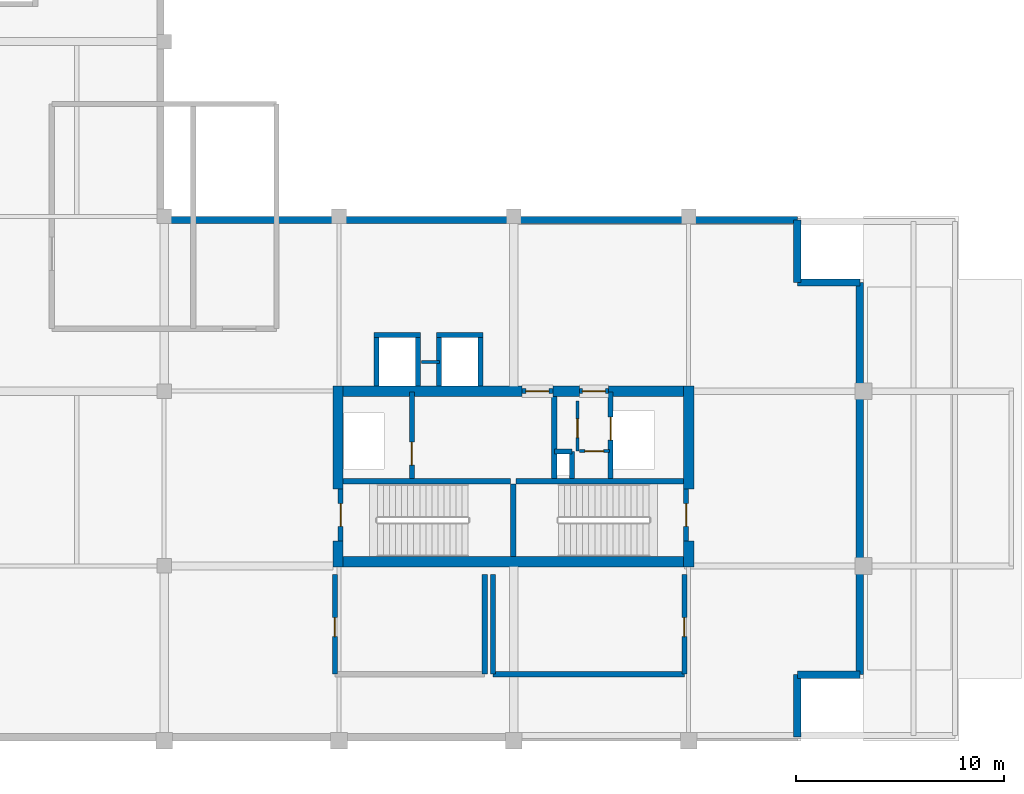
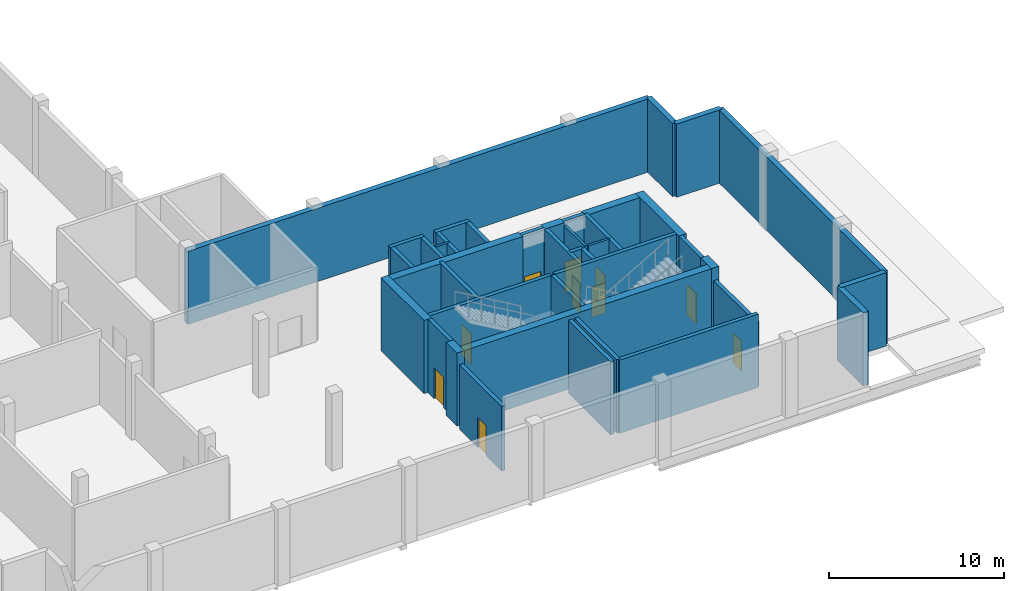
# One storey, part 3 of 7: 40 walls, 10 doors, 10 openings.
"""IFC4 building model written with IfcOpenShell, lengths in metres."""

from ifc_helpers import new_model, si_unit, direction, frame, frame_2d, origin, place, context, subcontext, project, spatial, rectangle, extrude, material, layer, layer_set, type_object, element, fill, save


model = new_model("IFC4")

# Units and contexts
model_context = context("Model", 3, precision=1e-05, world=origin(), true_north=direction((0.0, 1.0)))
body_context = subcontext(model_context, "Body", "Model", "MODEL_VIEW")
ifc_project = project(units=[si_unit("LENGTHUNIT", "METRE"), si_unit("AREAUNIT", "SQUARE_METRE"), si_unit("VOLUMEUNIT", "CUBIC_METRE"), si_unit("PLANEANGLEUNIT", "RADIAN"), si_unit("MASSUNIT", "GRAM", prefix="KILO")], contexts=[model_context])

# Site, building, storey
site_placement = place(None, origin())
site = spatial("IfcSite", under=ifc_project, at=site_placement, CompositionType="ELEMENT")
building_placement = place(site_placement, origin())
building = spatial("IfcBuilding", under=site, at=building_placement, Name="Koriwani Terraces Tower", CompositionType="ELEMENT")
storey_placement = place(building_placement, frame((0.0, 0.0, 368.60009765625)))
storey = spatial("IfcBuildingStorey", under=building, at=storey_placement, Name="L91", CompositionType="ELEMENT", Elevation=368.60009765625)

# Walls
ifc_material_1 = material(Name="Concrete C50/60", Category="concrete")
ifc_layer_1 = layer(ifc_material_1, 0.5, Name="Concrete C50/60")
ifc_layer_set_1 = layer_set([ifc_layer_1], Name="Concrete C50/60")
wall_type_1 = type_object("IfcWallType", Name="WALL_CORE_RC_500", PredefinedType="SHEAR", material=ifc_layer_set_1)
wall_1_placement = place(storey_placement, frame((41.949951171875, 16.75, 0.0), z_axis=(0.0, 0.0, 1.0), x_axis=(0.0, 1.0, 0.0)))
element("IfcWall", 1, at=wall_1_placement, inside=storey, type_object=wall_type_1, Name="L91 East Split Core Shear Wall W1", PredefinedType="SHEAR", context=body_context, shape_type="SweptSolid", body=[
    extrude(rectangle(XDim=1.25, YDim=0.5, at=frame_2d((0.625, 0.0))), origin(), (0.0, 0.0, 1.0), 5.119873046875),
])
wall_2_placement = place(storey_placement, frame((41.949951171875, 20.5, 0.0), z_axis=(0.0, 0.0, 1.0), x_axis=(0.0, 1.0, 0.0)))
element("IfcWall", 2, at=wall_2_placement, inside=storey, type_object=wall_type_1, Name="L91 East Split Core Shear Wall W2", PredefinedType="SHEAR", context=body_context, shape_type="SweptSolid", body=[
    extrude(rectangle(XDim=4.949951171875, YDim=0.5, at=frame_2d((2.47509765625, 0.0))), origin(), (0.0, 0.0, 1.0), 5.119873046875),
])
wall_3_placement = place(storey_placement, frame((58.800048828125, 16.75, 0.0), z_axis=(0.0, 0.0, 1.0), x_axis=(0.0, 1.0, 0.0)))
element("IfcWall", 3, at=wall_3_placement, inside=storey, type_object=wall_type_1, Name="L91 East Split Core Shear Wall E1", PredefinedType="SHEAR", context=body_context, shape_type="SweptSolid", body=[
    extrude(rectangle(XDim=1.25, YDim=0.5, at=frame_2d((0.625, 0.0))), origin(), (0.0, 0.0, 1.0), 5.119873046875),
])
wall_4_placement = place(storey_placement, frame((58.800048828125, 20.5, 0.0), z_axis=(0.0, 0.0, 1.0), x_axis=(0.0, 1.0, 0.0)))
element("IfcWall", 4, at=wall_4_placement, inside=storey, type_object=wall_type_1, Name="L91 East Split Core Shear Wall E2", PredefinedType="SHEAR", context=body_context, shape_type="SweptSolid", body=[
    extrude(rectangle(XDim=4.949951171875, YDim=0.5, at=frame_2d((2.47509765625, 0.0))), origin(), (0.0, 0.0, 1.0), 5.119873046875),
])
wall_5_placement = place(storey_placement, frame((42.199951171875, 17.0, 0.0), z_axis=(0.0, 0.0, 1.0), x_axis=(1.0, 0.0, 0.0)))
element("IfcWall", 5, at=wall_5_placement, inside=storey, type_object=wall_type_1, Name="L91 East Split Core Shear Wall S1", PredefinedType="SHEAR", context=body_context, shape_type="SweptSolid", body=[
    extrude(rectangle(XDim=16.35009765625, YDim=0.5, at=frame_2d((8.175048828125, 0.0))), origin(), (0.0, 0.0, 1.0), 5.119873046875),
])
wall_6_placement = place(storey_placement, frame((42.199951171875, 25.199951171875, 0.0), z_axis=(0.0, 0.0, 1.0), x_axis=(1.0, 0.0, 0.0)))
element("IfcWall", 6, at=wall_6_placement, inside=storey, type_object=wall_type_1, Name="L91 East Split Core Shear Wall N1", PredefinedType="SHEAR", context=body_context, shape_type="SweptSolid", body=[
    extrude(rectangle(XDim=8.60009765625, YDim=0.5, at=frame_2d((4.300048828125, 0.0))), origin(), (0.0, 0.0, 1.0), 5.119873046875),
])
wall_7_placement = place(storey_placement, frame((52.280029296875, 25.199951171875, 0.0), z_axis=(0.0, 0.0, 1.0), x_axis=(1.0, 0.0, 0.0)))
element("IfcWall", 7, at=wall_7_placement, inside=storey, type_object=wall_type_1, Name="L91 East Split Core Shear Wall N2", PredefinedType="SHEAR", context=body_context, shape_type="SweptSolid", body=[
    extrude(rectangle(XDim=1.27001953125, YDim=0.5, at=frame_2d((0.635009765625, 0.0))), origin(), (0.0, 0.0, 1.0), 5.119873046875),
])
wall_8_placement = place(storey_placement, frame((54.949951171875, 25.199951171875, 0.0), z_axis=(0.0, 0.0, 1.0), x_axis=(1.0, 0.0, 0.0)))
element("IfcWall", 8, at=wall_8_placement, inside=storey, type_object=wall_type_1, Name="L91 East Split Core Shear Wall N3", PredefinedType="SHEAR", context=body_context, shape_type="SweptSolid", body=[
    extrude(rectangle(XDim=3.60009765625, YDim=0.5, at=frame_2d((1.800048828125, 0.0))), origin(), (0.0, 0.0, 1.0), 5.119873046875),
])
ifc_layer_2 = layer(ifc_material_1, 0.35009765625, Name="Concrete C50/60")
ifc_layer_set_2 = layer_set([ifc_layer_2], Name="Concrete C50/60")
wall_type_2 = type_object("IfcWallType", Name="WALL_EXT_BRUTALIST_350", PredefinedType="STANDARD", material=ifc_layer_set_2)
wall_9_placement = place(storey_placement, frame((33.425048828125, 33.425048828125, 0.0), z_axis=(0.0, 0.0, 1.0), x_axis=(1.0, 0.0, 0.0)))
element("IfcWall", 9, at=wall_9_placement, inside=storey, type_object=wall_type_2, Name="L91 Fair-Faced Brutalist Exterior Wall (NE)", PredefinedType="STANDARD", context=body_context, shape_type="SweptSolid", body=[
    extrude(rectangle(XDim=30.599853515625, YDim=0.35009765625, at=frame_2d((15.2998046875, 0.0))), origin(), (0.0, 0.0, 1.0), 5.119873046875),
])
for number, where, z_axis, x_axis, name in (
    (10, (64.02490234375, 33.425048828125, 0.0), (0.0, 0.0, 1.0), (0.0, -1.0, 0.0), "L91 Fair-Faced Brutalist Exterior Wall (N10)"),
    (11, (64.02490234375, 30.425048828125, 0.0), (0.0, 0.0, 1.0), (1.0, 0.0, 0.0), "L91 Fair-Faced Brutalist Exterior Wall (N11)"),
):
    element("IfcWall", number, at=place(storey_placement, frame(where, z_axis=z_axis, x_axis=x_axis)), inside=storey, type_object=wall_type_2, Name=name, PredefinedType="STANDARD", context=body_context, shape_type="SweptSolid", body=[
        extrude(rectangle(XDim=3.0, YDim=0.35009765625, at=frame_2d((1.5, 0.0))), origin(), (0.0, 0.0, 1.0), 5.119873046875),
    ])
wall_10_placement = place(storey_placement, frame((67.02490234375, 30.425048828125, 0.0), z_axis=(0.0, 0.0, 1.0), x_axis=(0.0, -1.0, 0.0)))
element("IfcWall", 12, at=wall_10_placement, inside=storey, type_object=wall_type_2, Name="L91 Fair-Faced Brutalist Exterior Wall (E_TIP)", PredefinedType="STANDARD", context=body_context, shape_type="SweptSolid", body=[
    extrude(rectangle(XDim=18.85009765625, YDim=0.35009765625, at=frame_2d((9.425048828125, 0.0))), origin(), (0.0, 0.0, 1.0), 5.119873046875),
])
for number, where, z_axis, x_axis, name in (
    (13, (67.02490234375, 11.574951171875, 0.0), (0.0, 0.0, 1.0), (-1.0, 0.0, 0.0), "L91 Fair-Faced Brutalist Exterior Wall (N13)"),
    (14, (64.02490234375, 11.574951171875, 0.0), (0.0, 0.0, 1.0), (0.0, -1.0, 0.0), "L91 Fair-Faced Brutalist Exterior Wall (N14)"),
):
    element("IfcWall", number, at=place(storey_placement, frame(where, z_axis=z_axis, x_axis=x_axis)), inside=storey, type_object=wall_type_2, Name=name, PredefinedType="STANDARD", context=body_context, shape_type="SweptSolid", body=[
        extrude(rectangle(XDim=3.0, YDim=0.35009765625, at=frame_2d((1.5, 0.0))), origin(), (0.0, 0.0, 1.0), 5.119873046875),
    ])
ifc_material_2 = material(Name="Concrete C40/50", Category="concrete")
ifc_layer_3 = layer(ifc_material_2, 0.25, Name="Concrete C40/50")
ifc_layer_set_3 = layer_set([ifc_layer_3], Name="Concrete C40/50")
wall_type_3 = type_object("IfcWallType", Name="WALL_SHAFT_RATED_250", PredefinedType="SOLIDWALL", material=ifc_layer_set_3)
for number, where, z_axis, x_axis, name in (
    (15, (42.199951171875, 20.875, 0.0), (0.0, 0.0, 1.0), (1.0, 0.0, 0.0), "L91 East Split Core Web Wall MID1"),
    (16, (50.5, 20.875, 0.0), (0.0, 0.0, 1.0), (1.0, 0.0, 0.0), "L91 East Split Core Web Wall MID2"),
):
    element("IfcWall", number, at=place(storey_placement, frame(where, z_axis=z_axis, x_axis=x_axis)), inside=storey, type_object=wall_type_3, Name=name, PredefinedType="SOLIDWALL", context=body_context, shape_type="SweptSolid", body=[
        extrude(rectangle(XDim=8.050048828125, YDim=0.25, at=frame_2d((4.02490234375, 0.0))), origin(), (0.0, 0.0, 1.0), 5.119873046875),
    ])
wall_11_placement = place(storey_placement, frame((50.375, 17.25, 0.0), z_axis=(0.0, 0.0, 1.0), x_axis=(0.0, 1.0, 0.0)))
element("IfcWall", 17, at=wall_11_placement, inside=storey, type_object=wall_type_3, Name="L91 East Split Core Stair Dividing Wall", PredefinedType="SOLIDWALL", context=body_context, shape_type="SweptSolid", body=[
    extrude(rectangle(XDim=3.5, YDim=0.25, at=frame_2d((1.75, 0.0))), origin(), (0.0, 0.0, 1.0), 5.119873046875),
])

# Wall, opening, door
wall_12_placement = place(storey_placement, frame((42.074951171875, 18.0, 0.0), z_axis=(0.0, 0.0, 1.0), x_axis=(0.0, 1.0, 0.0)))
wall_12 = element("IfcWall", 18, at=wall_12_placement, inside=storey, type_object=wall_type_3, Name="L91 Interior Wall WIN-CE-L91-STW", PredefinedType="SOLIDWALL", context=body_context, shape_type="SweptSolid", body=[
    extrude(rectangle(XDim=2.5, YDim=0.25, at=frame_2d((1.25, 0.0))), origin(), (0.0, 0.0, 1.0), 5.119873046875),
])
opening_1_placement = place(wall_12_placement, frame((0.699951171875, 0.0, 0.0)))
opening_1 = element("IfcOpeningElement", 19, at=opening_1_placement, cuts=wall_12, Name="Opening D-03", PredefinedType="OPENING", context=body_context, shape_type="SweptSolid", body=[
    extrude(rectangle(XDim=1.10009765625, YDim=2.14990234375, at=frame_2d((0.550048828125, 1.074951171875))), frame((0.0, 0.135009765625, 0.0), z_axis=(0.0, -1.0, 0.0), x_axis=(1.0, 0.0, 0.0)), (0.0, 0.0, 1.0), 0.27001953125),
])
ifc_material_3 = material(Name="Steel ASTM A572 Grade 50", Category="steel")
door_type_1 = type_object("IfcDoorType", Name="DOOR_STAIR_FIRE_1100X2150", OperationType="NOTDEFINED", PredefinedType="DOOR", material=ifc_material_3)
door_1_placement = place(opening_1_placement, origin())
door_1 = element("IfcDoor", 20, at=door_1_placement, inside=storey, type_object=door_type_1, Name="L91 Exit Stair ST-E1 Door", OperationType="SINGLE_SWING_LEFT", OverallHeight=2.14990234375, OverallWidth=1.10009765625, PredefinedType="DOOR", context=body_context, shape_type="SweptSolid", body=[
    extrude(rectangle(XDim=1.10009765625, YDim=2.14990234375, at=frame_2d((0.550048828125, 1.074951171875))), frame((0.0, 0.02490234375, 0.0), z_axis=(0.0, -1.0, 0.0), x_axis=(1.0, 0.0, 0.0)), (0.0, 0.0, 1.0), 0.050048828125),
])
fill(opening_1, door_1)

wall_13_placement = place(storey_placement, frame((58.675048828125, 18.0, 0.0), z_axis=(0.0, 0.0, 1.0), x_axis=(0.0, 1.0, 0.0)))
wall_13 = element("IfcWall", 21, at=wall_13_placement, inside=storey, type_object=wall_type_3, Name="L91 Interior Wall WIN-CE-L91-STE", PredefinedType="SOLIDWALL", context=body_context, shape_type="SweptSolid", body=[
    extrude(rectangle(XDim=2.5, YDim=0.25, at=frame_2d((1.25, 0.0))), origin(), (0.0, 0.0, 1.0), 5.119873046875),
])
opening_2_placement = place(wall_13_placement, frame((0.699951171875, 0.0, 0.0)))
opening_2 = element("IfcOpeningElement", 22, at=opening_2_placement, cuts=wall_13, Name="Opening D-03", PredefinedType="OPENING", context=body_context, shape_type="SweptSolid", body=[
    extrude(rectangle(XDim=1.10009765625, YDim=2.14990234375, at=frame_2d((0.550048828125, 1.074951171875))), frame((0.0, 0.135009765625, 0.0), z_axis=(0.0, -1.0, 0.0), x_axis=(1.0, 0.0, 0.0)), (0.0, 0.0, 1.0), 0.27001953125),
])
door_2_placement = place(opening_2_placement, origin())
door_2 = element("IfcDoor", 23, at=door_2_placement, inside=storey, type_object=door_type_1, Name="L91 Exit Stair ST-E2 Door", OperationType="SINGLE_SWING_RIGHT", OverallHeight=2.14990234375, OverallWidth=1.10009765625, PredefinedType="DOOR", context=body_context, shape_type="SweptSolid", body=[
    extrude(rectangle(XDim=1.10009765625, YDim=2.14990234375, at=frame_2d((0.550048828125, 1.074951171875))), frame((0.0, 0.02490234375, 0.0), z_axis=(0.0, -1.0, 0.0), x_axis=(1.0, 0.0, 0.0)), (0.0, 0.0, 1.0), 0.050048828125),
])
fill(opening_2, door_2)

wall_14_placement = place(storey_placement, frame((45.5, 21.0, 0.0), z_axis=(0.0, 0.0, 1.0), x_axis=(0.0, 1.0, 0.0)))
wall_14 = element("IfcWall", 24, at=wall_14_placement, inside=storey, type_object=wall_type_3, Name="L91 Interior Wall WIN-CE-L91-FE", PredefinedType="SOLIDWALL", context=body_context, shape_type="SweptSolid", body=[
    extrude(rectangle(XDim=4.14990234375, YDim=0.25, at=frame_2d((2.074951171875, 0.0))), origin(), (0.0, 0.0, 1.0), 5.119873046875),
])
opening_3_placement = place(wall_14_placement, frame((0.64990234375, 0.0, 0.0)))
opening_3 = element("IfcOpeningElement", 25, at=opening_3_placement, cuts=wall_14, Name="Opening LD-01", PredefinedType="OPENING", context=body_context, shape_type="SweptSolid", body=[
    extrude(rectangle(XDim=1.10009765625, YDim=2.14990234375, at=frame_2d((0.550048828125, 1.074951171875))), frame((0.0, 0.135009765625, 0.0), z_axis=(0.0, -1.0, 0.0), x_axis=(1.0, 0.0, 0.0)), (0.0, 0.0, 1.0), 0.27001953125),
])
door_type_2 = type_object("IfcDoorType", Name="DOOR_LIFT_LANDING_1100X2200", OperationType="NOTDEFINED", PredefinedType="DOOR", material=ifc_material_3)
door_3_placement = place(opening_3_placement, origin())
door_3 = element("IfcDoor", 26, at=door_3_placement, inside=storey, type_object=door_type_2, Name="L91 Firefighting Lift FE-02 Landing Door", OperationType="SLIDING_TO_LEFT", OverallHeight=2.14990234375, OverallWidth=1.10009765625, PredefinedType="DOOR", context=body_context, shape_type="SweptSolid", body=[
    extrude(rectangle(XDim=1.10009765625, YDim=2.14990234375, at=frame_2d((0.550048828125, 1.074951171875))), frame((0.0, 0.02490234375, 0.0), z_axis=(0.0, -1.0, 0.0), x_axis=(1.0, 0.0, 0.0)), (0.0, 0.0, 1.0), 0.050048828125),
])
fill(opening_3, door_3)

wall_15_placement = place(storey_placement, frame((50.800048828125, 25.199951171875, 0.0), z_axis=(0.0, 0.0, 1.0), x_axis=(1.0, 0.0, 0.0)))
wall_15 = element("IfcWall", 27, at=wall_15_placement, inside=storey, type_object=wall_type_3, Name="L91 Interior Wall WIN-CE-L91-NP", PredefinedType="SOLIDWALL", context=body_context, shape_type="SweptSolid", body=[
    extrude(rectangle(XDim=1.47998046875, YDim=0.25, at=frame_2d((0.739990234375, 0.0))), origin(), (0.0, 0.0, 1.0), 5.119873046875),
])
opening_4_placement = place(wall_15_placement, frame((0.179931640625, 0.0, 0.0)))
opening_4 = element("IfcOpeningElement", 28, at=opening_4_placement, cuts=wall_15, Name="Opening D-03", PredefinedType="OPENING", context=body_context, shape_type="SweptSolid", body=[
    extrude(rectangle(XDim=1.10009765625, YDim=2.14990234375, at=frame_2d((0.550048828125, 1.074951171875))), frame((0.0, 0.135009765625, 0.0), z_axis=(0.0, -1.0, 0.0), x_axis=(1.0, 0.0, 0.0)), (0.0, 0.0, 1.0), 0.27001953125),
])
door_4_placement = place(opening_4_placement, origin())
door_4 = element("IfcDoor", 29, at=door_4_placement, inside=storey, type_object=door_type_1, Name="L91 East Firefighting Lobby Door", OperationType="SINGLE_SWING_LEFT", OverallHeight=2.14990234375, OverallWidth=1.10009765625, PredefinedType="DOOR", context=body_context, shape_type="SweptSolid", body=[
    extrude(rectangle(XDim=1.10009765625, YDim=2.14990234375, at=frame_2d((0.550048828125, 1.074951171875))), frame((0.0, 0.02490234375, 0.0), z_axis=(0.0, -1.0, 0.0), x_axis=(1.0, 0.0, 0.0)), (0.0, 0.0, 1.0), 0.050048828125),
])
fill(opening_4, door_4)

# Wall
wall_16_placement = place(storey_placement, frame((52.340087890625, 21.0, 0.0), z_axis=(0.0, 0.0, 1.0), x_axis=(0.0, 1.0, 0.0)))
element("IfcWall", 30, at=wall_16_placement, inside=storey, type_object=wall_type_3, Name="L91 Interior Wall WIN-CE-L91-FFE", PredefinedType="SOLIDWALL", context=body_context, shape_type="SweptSolid", body=[
    extrude(rectangle(XDim=3.949951171875, YDim=0.25, at=frame_2d((1.97509765625, 0.0))), origin(), (0.0, 0.0, 1.0), 5.119873046875),
])

# Wall, opening, door
wall_17_placement = place(storey_placement, frame((55.050048828125, 21.0, 0.0), z_axis=(0.0, 0.0, 1.0), x_axis=(0.0, 1.0, 0.0)))
wall_17 = element("IfcWall", 31, at=wall_17_placement, inside=storey, type_object=wall_type_3, Name="L91 Interior Wall WIN-CE-L91-SE", PredefinedType="SOLIDWALL", context=body_context, shape_type="SweptSolid", body=[
    extrude(rectangle(XDim=4.14990234375, YDim=0.25, at=frame_2d((2.074951171875, 0.0))), origin(), (0.0, 0.0, 1.0), 5.119873046875),
])
opening_5_placement = place(wall_17_placement, frame((1.85009765625, 0.0, 0.0)))
opening_5 = element("IfcOpeningElement", 32, at=opening_5_placement, cuts=wall_17, Name="Opening LD-01", PredefinedType="OPENING", context=body_context, shape_type="SweptSolid", body=[
    extrude(rectangle(XDim=1.10009765625, YDim=2.14990234375, at=frame_2d((0.550048828125, 1.074951171875))), frame((0.0, 0.135009765625, 0.0), z_axis=(0.0, -1.0, 0.0), x_axis=(1.0, 0.0, 0.0)), (0.0, 0.0, 1.0), 0.27001953125),
])
door_5_placement = place(opening_5_placement, origin())
door_5 = element("IfcDoor", 33, at=door_5_placement, inside=storey, type_object=door_type_2, Name="L91 Goods Lift SE-02 Landing Door", OperationType="SLIDING_TO_LEFT", OverallHeight=2.14990234375, OverallWidth=1.10009765625, PredefinedType="DOOR", context=body_context, shape_type="SweptSolid", body=[
    extrude(rectangle(XDim=1.10009765625, YDim=2.14990234375, at=frame_2d((0.550048828125, 1.074951171875))), frame((0.0, 0.02490234375, 0.0), z_axis=(0.0, -1.0, 0.0), x_axis=(1.0, 0.0, 0.0)), (0.0, 0.0, 1.0), 0.050048828125),
])
fill(opening_5, door_5)

wall_18_placement = place(storey_placement, frame((53.550048828125, 25.199951171875, 0.0), z_axis=(0.0, 0.0, 1.0), x_axis=(1.0, 0.0, 0.0)))
wall_18 = element("IfcWall", 34, at=wall_18_placement, inside=storey, type_object=wall_type_3, Name="L91 Interior Wall WIN-CE-L91-NP2", PredefinedType="SOLIDWALL", context=body_context, shape_type="SweptSolid", body=[
    extrude(rectangle(XDim=1.39990234375, YDim=0.25, at=frame_2d((0.699951171875, 0.0))), origin(), (0.0, 0.0, 1.0), 5.119873046875),
])
opening_6_placement = place(wall_18_placement, frame((0.14990234375, 0.0, 0.0)))
opening_6 = element("IfcOpeningElement", 35, at=opening_6_placement, cuts=wall_18, Name="Opening D-03", PredefinedType="OPENING", context=body_context, shape_type="SweptSolid", body=[
    extrude(rectangle(XDim=1.10009765625, YDim=2.14990234375, at=frame_2d((0.550048828125, 1.074951171875))), frame((0.0, 0.135009765625, 0.0), z_axis=(0.0, -1.0, 0.0), x_axis=(1.0, 0.0, 0.0)), (0.0, 0.0, 1.0), 0.27001953125),
])
door_6_placement = place(opening_6_placement, origin())
door_6 = element("IfcDoor", 36, at=door_6_placement, inside=storey, type_object=door_type_1, Name="L91 East Goods Lift Lobby Door", OperationType="SINGLE_SWING_RIGHT", OverallHeight=2.14990234375, OverallWidth=1.10009765625, PredefinedType="DOOR", context=body_context, shape_type="SweptSolid", body=[
    extrude(rectangle(XDim=1.10009765625, YDim=2.14990234375, at=frame_2d((0.550048828125, 1.074951171875))), frame((0.0, 0.02490234375, 0.0), z_axis=(0.0, -1.0, 0.0), x_axis=(1.0, 0.0, 0.0)), (0.0, 0.0, 1.0), 0.050048828125),
])
fill(opening_6, door_6)

# Walls
wall_19_placement = place(storey_placement, frame((53.199951171875, 21.0, 0.0), z_axis=(0.0, 0.0, 1.0), x_axis=(0.0, 1.0, 0.0)))
element("IfcWall", 37, at=wall_19_placement, inside=storey, type_object=wall_type_3, Name="L91 Interior Wall WIN-CE-L91-RS1", PredefinedType="SOLIDWALL", context=body_context, shape_type="SweptSolid", body=[
    extrude(rectangle(XDim=1.300048828125, YDim=0.25, at=frame_2d((0.64990234375, 0.0))), origin(), (0.0, 0.0, 1.0), 5.119873046875),
])
wall_20_placement = place(storey_placement, frame((52.360107421875, 22.300048828125, 0.0), z_axis=(0.0, 0.0, 1.0), x_axis=(1.0, 0.0, 0.0)))
element("IfcWall", 38, at=wall_20_placement, inside=storey, type_object=wall_type_3, Name="L91 Interior Wall WIN-CE-L91-RS2", PredefinedType="SOLIDWALL", context=body_context, shape_type="SweptSolid", body=[
    extrude(rectangle(XDim=0.83984375, YDim=0.25, at=frame_2d((0.419921875, 0.0))), origin(), (0.0, 0.0, 1.0), 5.119873046875),
])
wall_21_placement = place(storey_placement, frame((43.675048828125, 27.89990234375, 0.0), z_axis=(0.0, 0.0, 1.0), x_axis=(1.0, 0.0, 0.0)))
element("IfcWall", 39, at=wall_21_placement, inside=storey, type_object=wall_type_3, Name="L91 Interior Wall WIN-LF-PE-H3-L91-F", PredefinedType="SOLIDWALL", context=body_context, shape_type="SweptSolid", body=[
    extrude(rectangle(XDim=2.25, YDim=0.25, at=frame_2d((1.125, 0.0))), origin(), (0.0, 0.0, 1.0), 5.119873046875),
])
for number, where, z_axis, x_axis, name in (
    (40, (43.800048828125, 25.449951171875, 0.0), (0.0, 0.0, 1.0), (0.0, 1.0, 0.0), "L91 Interior Wall WIN-LF-PE-H3-L91-W"),
    (41, (45.800048828125, 25.449951171875, 0.0), (0.0, 0.0, 1.0), (0.0, 1.0, 0.0), "L91 Interior Wall WIN-LF-PE-H3-L91-E"),
):
    element("IfcWall", number, at=place(storey_placement, frame(where, z_axis=z_axis, x_axis=x_axis)), inside=storey, type_object=wall_type_3, Name=name, PredefinedType="SOLIDWALL", context=body_context, shape_type="SweptSolid", body=[
        extrude(rectangle(XDim=2.324951171875, YDim=0.25, at=frame_2d((1.16259765625, 0.0))), origin(), (0.0, 0.0, 1.0), 5.119873046875),
    ])
wall_22_placement = place(storey_placement, frame((46.675048828125, 27.89990234375, 0.0), z_axis=(0.0, 0.0, 1.0), x_axis=(1.0, 0.0, 0.0)))
element("IfcWall", 42, at=wall_22_placement, inside=storey, type_object=wall_type_3, Name="L91 Interior Wall WIN-LF-PE-H4-L91-F", PredefinedType="SOLIDWALL", context=body_context, shape_type="SweptSolid", body=[
    extrude(rectangle(XDim=2.25, YDim=0.25, at=frame_2d((1.125, 0.0))), origin(), (0.0, 0.0, 1.0), 5.119873046875),
])
for number, where, z_axis, x_axis, name in (
    (43, (46.800048828125, 25.449951171875, 0.0), (0.0, 0.0, 1.0), (0.0, 1.0, 0.0), "L91 Interior Wall WIN-LF-PE-H4-L91-W"),
    (44, (48.800048828125, 25.449951171875, 0.0), (0.0, 0.0, 1.0), (0.0, 1.0, 0.0), "L91 Interior Wall WIN-LF-PE-H4-L91-E"),
):
    element("IfcWall", number, at=place(storey_placement, frame(where, z_axis=z_axis, x_axis=x_axis)), inside=storey, type_object=wall_type_3, Name=name, PredefinedType="SOLIDWALL", context=body_context, shape_type="SweptSolid", body=[
        extrude(rectangle(XDim=2.324951171875, YDim=0.25, at=frame_2d((1.16259765625, 0.0))), origin(), (0.0, 0.0, 1.0), 5.119873046875),
    ])

# Wall, opening, door
wall_23_placement = place(storey_placement, frame((41.800048828125, 11.60009765625, 0.0), z_axis=(0.0, 0.0, 1.0), x_axis=(0.0, 1.0, 0.0)))
wall_23 = element("IfcWall", 45, at=wall_23_placement, inside=storey, type_object=wall_type_3, Name="L91 Interior Wall WPL-RECE1-L91", PredefinedType="SOLIDWALL", context=body_context, shape_type="SweptSolid", body=[
    extrude(rectangle(XDim=4.7998046875, YDim=0.25, at=frame_2d((2.39990234375, 0.0))), origin(), (0.0, 0.0, 1.0), 4.52001953125),
])
opening_7_placement = place(wall_23_placement, frame((1.800048828125, 0.0, 0.0)))
opening_7 = element("IfcOpeningElement", 46, at=opening_7_placement, cuts=wall_23, Name="Opening D-06", PredefinedType="OPENING", context=body_context, shape_type="SweptSolid", body=[
    extrude(rectangle(XDim=0.919921875, YDim=2.10009765625, at=frame_2d((0.4599609375, 1.050048828125))), frame((0.0, 0.135009765625, 0.0), z_axis=(0.0, -1.0, 0.0), x_axis=(1.0, 0.0, 0.0)), (0.0, 0.0, 1.0), 0.27001953125),
])
ifc_material_4 = material(Name="Architectural Oak Fire Door", Category="wood")
door_type_3 = type_object("IfcDoorType", Name="DOOR_ROOM_INT_920X2100", OperationType="NOTDEFINED", PredefinedType="DOOR", material=ifc_material_4)
door_7_placement = place(opening_7_placement, origin())
door_7 = element("IfcDoor", 47, at=door_7_placement, inside=storey, type_object=door_type_3, Name="L91 Reclaimed East Telemetry Room Door", OperationType="SINGLE_SWING_RIGHT", OverallHeight=2.10009765625, OverallWidth=0.919921875, PredefinedType="DOOR", context=body_context, shape_type="SweptSolid", body=[
    extrude(rectangle(XDim=0.919921875, YDim=2.10009765625, at=frame_2d((0.4599609375, 1.050048828125))), frame((0.0, 0.02490234375, 0.0), z_axis=(0.0, -1.0, 0.0), x_axis=(1.0, 0.0, 0.0)), (0.0, 0.0, 1.0), 0.050048828125),
])
fill(opening_7, door_7)

# Wall
wall_24_placement = place(storey_placement, frame((49.0, 11.60009765625, 0.0), z_axis=(0.0, 0.0, 1.0), x_axis=(0.0, 1.0, 0.0)))
element("IfcWall", 48, at=wall_24_placement, inside=storey, type_object=wall_type_3, Name="L91 Interior Wall WPL-RECE3-L91", PredefinedType="SOLIDWALL", context=body_context, shape_type="SweptSolid", body=[
    extrude(rectangle(XDim=4.7998046875, YDim=0.25, at=frame_2d((2.39990234375, 0.0))), origin(), (0.0, 0.0, 1.0), 5.119873046875),
])

# Wall, opening, door
wall_25_placement = place(storey_placement, frame((58.60009765625, 11.60009765625, 0.0), z_axis=(0.0, 0.0, 1.0), x_axis=(0.0, 1.0, 0.0)))
wall_25 = element("IfcWall", 49, at=wall_25_placement, inside=storey, type_object=wall_type_3, Name="L91 Interior Wall WPL-RECME1-L91", PredefinedType="SOLIDWALL", context=body_context, shape_type="SweptSolid", body=[
    extrude(rectangle(XDim=4.7998046875, YDim=0.25, at=frame_2d((2.39990234375, 0.0))), origin(), (0.0, 0.0, 1.0), 4.52001953125),
])
opening_8_placement = place(wall_25_placement, frame((1.800048828125, 0.0, 0.0)))
opening_8 = element("IfcOpeningElement", 50, at=opening_8_placement, cuts=wall_25, Name="Opening D-06", PredefinedType="OPENING", context=body_context, shape_type="SweptSolid", body=[
    extrude(rectangle(XDim=0.919921875, YDim=2.10009765625, at=frame_2d((0.4599609375, 1.050048828125))), frame((0.0, 0.135009765625, 0.0), z_axis=(0.0, -1.0, 0.0), x_axis=(1.0, 0.0, 0.0)), (0.0, 0.0, 1.0), 0.27001953125),
])
door_8_placement = place(opening_8_placement, origin())
door_8 = element("IfcDoor", 51, at=door_8_placement, inside=storey, type_object=door_type_3, Name="L91 East Upper Controls Door", OperationType="SINGLE_SWING_RIGHT", OverallHeight=2.10009765625, OverallWidth=0.919921875, PredefinedType="DOOR", context=body_context, shape_type="SweptSolid", body=[
    extrude(rectangle(XDim=0.919921875, YDim=2.10009765625, at=frame_2d((0.4599609375, 1.050048828125))), frame((0.0, 0.02490234375, 0.0), z_axis=(0.0, -1.0, 0.0), x_axis=(1.0, 0.0, 0.0)), (0.0, 0.0, 1.0), 0.050048828125),
])
fill(opening_8, door_8)

# Walls
wall_26_placement = place(storey_placement, frame((49.39990234375, 11.60009765625, 0.0), z_axis=(0.0, 0.0, 1.0), x_axis=(1.0, 0.0, 0.0)))
element("IfcWall", 52, at=wall_26_placement, inside=storey, type_object=wall_type_3, Name="L91 Interior Wall WPL-RECME2-L91", PredefinedType="SOLIDWALL", context=body_context, shape_type="SweptSolid", body=[
    extrude(rectangle(XDim=9.2001953125, YDim=0.25, at=frame_2d((4.60009765625, 0.0))), origin(), (0.0, 0.0, 1.0), 5.119873046875),
])
wall_27_placement = place(storey_placement, frame((49.39990234375, 11.60009765625, 0.0), z_axis=(0.0, 0.0, 1.0), x_axis=(0.0, 1.0, 0.0)))
element("IfcWall", 53, at=wall_27_placement, inside=storey, type_object=wall_type_3, Name="L91 Interior Wall WPL-RECME3-L91", PredefinedType="SOLIDWALL", context=body_context, shape_type="SweptSolid", body=[
    extrude(rectangle(XDim=4.7998046875, YDim=0.25, at=frame_2d((2.39990234375, 0.0))), origin(), (0.0, 0.0, 1.0), 5.119873046875),
])

# Wall, opening, door
ifc_material_5 = material(Name="Fire-Rated Acoustic Gypsum Partition", Category="masonry")
ifc_layer_4 = layer(ifc_material_5, 0.159912109375, Name="Fire-Rated Acoustic Gypsum Partition")
ifc_layer_set_4 = layer_set([ifc_layer_4], Name="Fire-Rated Acoustic Gypsum Partition")
wall_type_4 = type_object("IfcWallType", Name="WALL_SUITE_160", PredefinedType="PARTITIONING", material=ifc_layer_set_4)
wall_28_placement = place(storey_placement, frame((53.56005859375, 22.320068359375, 0.0), z_axis=(0.0, 0.0, 1.0), x_axis=(1.0, 0.0, 0.0)))
wall_28 = element("IfcWall", 54, at=wall_28_placement, inside=storey, type_object=wall_type_4, Name="L91 Interior Wall WIN-CE-L91-SV1A", PredefinedType="PARTITIONING", context=body_context, shape_type="SweptSolid", body=[
    extrude(rectangle(XDim=1.43994140625, YDim=0.159912109375, at=frame_2d((0.719970703125, 0.0))), origin(), (0.0, 0.0, 1.0), 5.119873046875),
])
opening_9_placement = place(wall_28_placement, frame((0.260009765625, 0.0, 0.0)))
opening_9 = element("IfcOpeningElement", 55, at=opening_9_placement, cuts=wall_28, Name="Opening D-07", PredefinedType="OPENING", context=body_context, shape_type="SweptSolid", body=[
    extrude(rectangle(XDim=0.89990234375, YDim=2.10009765625, at=frame_2d((0.449951171875, 1.050048828125))), frame((0.0, 0.08984375, 0.0), z_axis=(0.0, -1.0, 0.0), x_axis=(1.0, 0.0, 0.0)), (0.0, 0.0, 1.0), 0.179931640625),
])
door_type_4 = type_object("IfcDoorType", Name="DOOR_BATH_INT_900X2100", OperationType="NOTDEFINED", PredefinedType="DOOR", material=ifc_material_4)
door_9_placement = place(opening_9_placement, origin())
door_9 = element("IfcDoor", 56, at=door_9_placement, inside=storey, type_object=door_type_4, Name="L91 East Telecom Room Door", OperationType="SINGLE_SWING_LEFT", OverallHeight=2.10009765625, OverallWidth=0.89990234375, PredefinedType="DOOR", context=body_context, shape_type="SweptSolid", body=[
    extrude(rectangle(XDim=0.89990234375, YDim=2.10009765625, at=frame_2d((0.449951171875, 1.050048828125))), frame((0.0, 0.02490234375, 0.0), z_axis=(0.0, -1.0, 0.0), x_axis=(1.0, 0.0, 0.0)), (0.0, 0.0, 1.0), 0.050048828125),
])
fill(opening_9, door_9)

wall_29_placement = place(storey_placement, frame((53.4599609375, 22.320068359375, 0.0), z_axis=(0.0, 0.0, 1.0), x_axis=(0.0, 1.0, 0.0)))
wall_29 = element("IfcWall", 57, at=wall_29_placement, inside=storey, type_object=wall_type_4, Name="L91 Interior Wall WIN-CE-L91-SV1B", PredefinedType="PARTITIONING", context=body_context, shape_type="SweptSolid", body=[
    extrude(rectangle(XDim=2.39990234375, YDim=0.159912109375, at=frame_2d((1.199951171875, 0.0))), origin(), (0.0, 0.0, 1.0), 5.119873046875),
])
opening_10_placement = place(wall_29_placement, frame((0.64990234375, 0.0, 0.0)))
opening_10 = element("IfcOpeningElement", 58, at=opening_10_placement, cuts=wall_29, Name="Opening D-07", PredefinedType="OPENING", context=body_context, shape_type="SweptSolid", body=[
    extrude(rectangle(XDim=0.89990234375, YDim=2.10009765625, at=frame_2d((0.449951171875, 1.050048828125))), frame((0.0, 0.08984375, 0.0), z_axis=(0.0, -1.0, 0.0), x_axis=(1.0, 0.0, 0.0)), (0.0, 0.0, 1.0), 0.179931640625),
])
door_10_placement = place(opening_10_placement, origin())
door_10 = element("IfcDoor", 59, at=door_10_placement, inside=storey, type_object=door_type_4, Name="L91 East Cleaners Closet Door", OperationType="SINGLE_SWING_RIGHT", OverallHeight=2.10009765625, OverallWidth=0.89990234375, PredefinedType="DOOR", context=body_context, shape_type="SweptSolid", body=[
    extrude(rectangle(XDim=0.89990234375, YDim=2.10009765625, at=frame_2d((0.449951171875, 1.050048828125))), frame((0.0, 0.02490234375, 0.0), z_axis=(0.0, -1.0, 0.0), x_axis=(1.0, 0.0, 0.0)), (0.0, 0.0, 1.0), 0.050048828125),
])
fill(opening_10, door_10)

# Wall
wall_30_placement = place(storey_placement, frame((45.9599609375, 26.60009765625, 0.0), z_axis=(0.0, 0.0, 1.0), x_axis=(1.0, 0.0, 0.0)))
element("IfcWall", 60, at=wall_30_placement, inside=storey, type_object=wall_type_4, Name="L91 Interior Wall WIN-LF-PEH34-MID-L91", PredefinedType="PARTITIONING", context=body_context, shape_type="SweptSolid", body=[
    extrude(rectangle(XDim=0.880126953125, YDim=0.159912109375, at=frame_2d((0.43994140625, 0.0))), origin(), (0.0, 0.0, 1.0), 5.119873046875),
])

save(model, "model.ifc")
